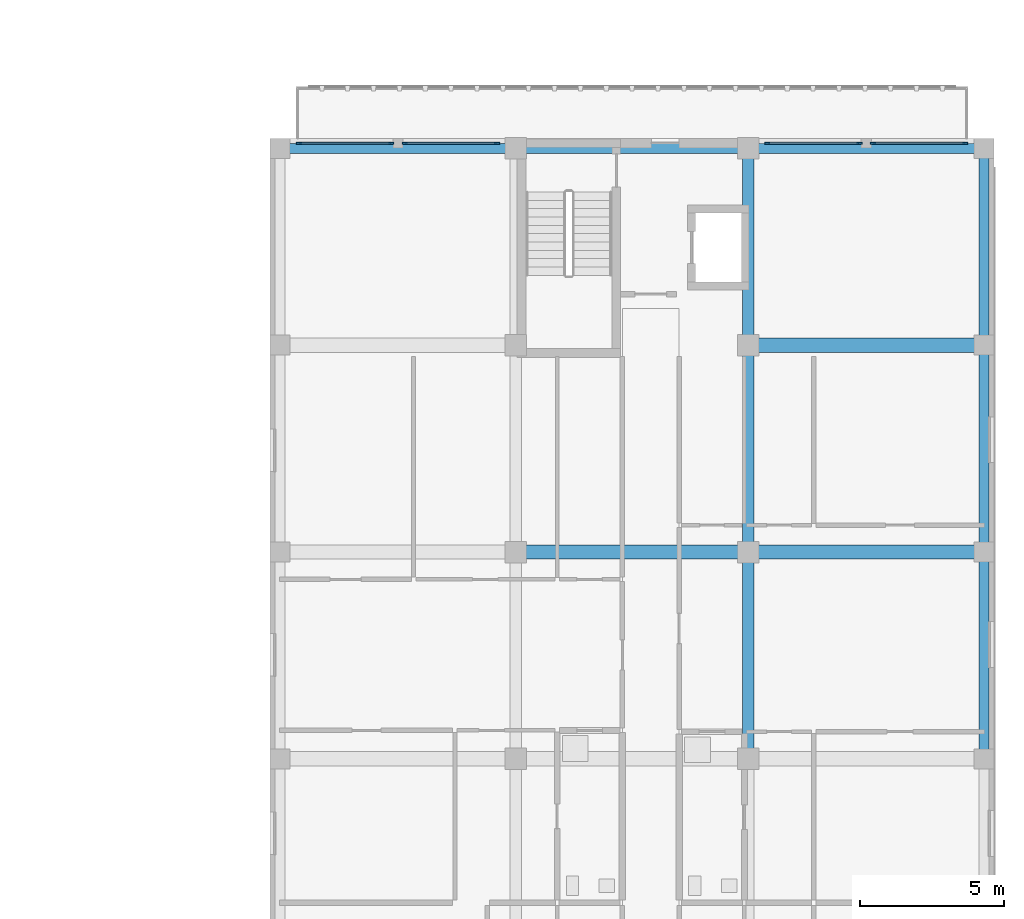
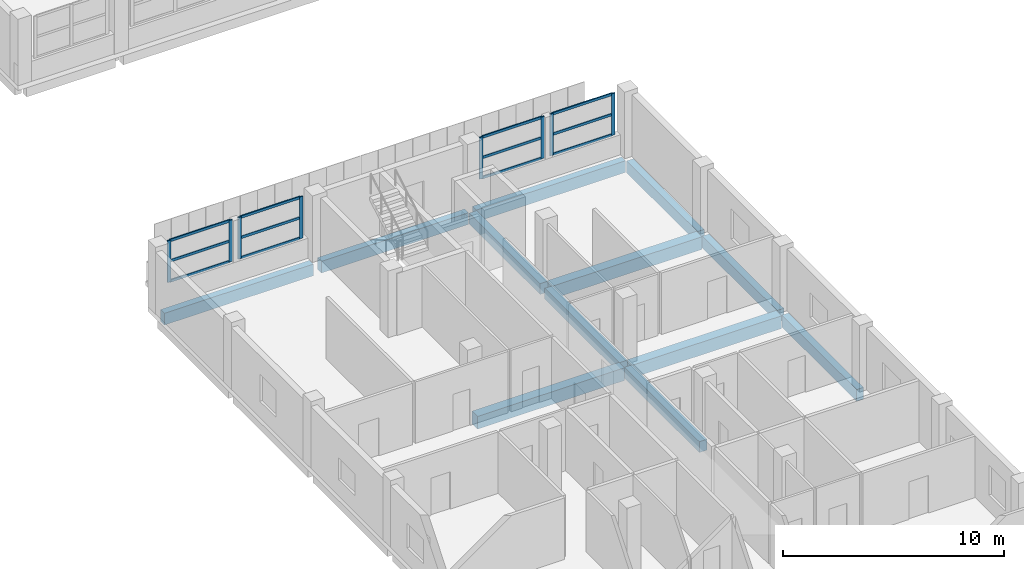
# One storey, part 23 of 73: 20 members, 12 beams, 4 elements without a shape of their own.
"""IFC4 building model written with IfcOpenShell, lengths in metres."""

from ifc_helpers import new_model, si_unit, derived_unit, direction, frame, origin, origin_2d, place, context, subcontext, project, spatial, rectangle, extrude, material, layer, layer_set, material_profile, profile_set, type_object, element, aggregate, save


model = new_model("IFC4")

# Units and contexts
model_context = context("Model", 3, precision=1e-05, world=origin(), true_north=direction((0.0, 1.0)))
body_context = subcontext(model_context, "Body", "Model", "MODEL_VIEW")
ifc_project = project(units=[si_unit("LENGTHUNIT", "METRE"), si_unit("AREAUNIT", "SQUARE_METRE"), si_unit("VOLUMEUNIT", "CUBIC_METRE"), si_unit("PLANEANGLEUNIT", "RADIAN"), si_unit("MASSUNIT", "GRAM", prefix="KILO"), derived_unit("THERMALTRANSMITTANCEUNIT", [(si_unit("MASSUNIT", "GRAM", prefix="KILO"), 1), (si_unit("TIMEUNIT", "SECOND"), -3), (si_unit("THERMODYNAMICTEMPERATUREUNIT", "KELVIN"), -1)])], contexts=[model_context])

# Site, building, storey
site_placement = place(None, origin())
site = spatial("IfcSite", under=ifc_project, at=site_placement, CompositionType="ELEMENT")
building_placement = place(site_placement, origin())
building = spatial("IfcBuilding", under=site, at=building_placement, Name="Ochrekiln Boulevard Commons", CompositionType="ELEMENT")
storey_placement = place(building_placement, frame((0.0, 0.0, 4.89990234375)))
storey = spatial("IfcBuildingStorey", under=building, at=storey_placement, Name="L01", CompositionType="ELEMENT", Elevation=4.89990234375)

# Beams
ifc_material_1 = material(Name="Concrete C35/45", Category="concrete")
ifc_material_profile_1 = material_profile(ifc_material_1, rectangle(XDim=0.39990234375, YDim=0.60009765625, at=origin_2d()), Name="RC-BM-400x600")
ifc_profile_set_1 = profile_set([ifc_material_profile_1], Name="Concrete C35/45")
beam_type_1 = type_object("IfcBeamType", Name="BM-RC-400x600", PredefinedType="BEAM", material=ifc_profile_set_1)
for number, where, z_axis, x_axis, name in (
    (1, (164.25, 29.010009765625, -0.559814453125), (0.0, 1.0, 0.0), (-1.0, 0.0, 0.0), "Block C L01 Beam B-4060 Y41"),
    (2, (164.25, 36.2099609375, -0.559814453125), (0.0, 1.0, 0.0), (-1.0, 0.0, 0.0), "Block C L01 Beam B-4060 Y42"),
):
    element("IfcBeam", number, at=place(storey_placement, frame(where, z_axis=z_axis, x_axis=x_axis)), inside=storey, type_object=beam_type_1, Name=name, PredefinedType="BEAM", context=body_context, shape_type="SweptSolid", body=[
        extrude(rectangle(XDim=0.39990234375, YDim=0.60009765625, at=origin_2d()), origin(), (0.0, 0.0, 1.0), 6.780029296875),
    ])
beam_1_placement = place(storey_placement, frame((164.25, 43.409912109375, -0.559814453125), z_axis=(0.0, 1.0, 0.0), x_axis=(-1.0, 0.0, 0.0)))
element("IfcBeam", 3, at=beam_1_placement, inside=storey, type_object=beam_type_1, Name="Block C L01 Beam B-4060 Y43", PredefinedType="BEAM", context=body_context, shape_type="SweptSolid", body=[
    extrude(rectangle(XDim=0.39990234375, YDim=0.60009765625, at=origin_2d()), origin(), (0.0, 0.0, 1.0), 6.43017578125),
])
ifc_material_2 = material(Name="Concrete C40/50", Category="concrete")
ifc_material_profile_2 = material_profile(ifc_material_2, rectangle(XDim=0.5, YDim=0.699951171875, at=origin_2d()), Name="RC-BM-500x700")
ifc_profile_set_2 = profile_set([ifc_material_profile_2], Name="Concrete C40/50")
beam_type_2 = type_object("IfcBeamType", Name="BM-RC-500x700", PredefinedType="BEAM", material=ifc_profile_set_2)
beam_2_placement = place(storey_placement, frame((156.360107421875, 36.0, -0.60986328125), z_axis=(1.0, 0.0, 0.0), x_axis=(0.0, 1.0, 0.0)))
element("IfcBeam", 4, at=beam_2_placement, inside=storey, type_object=beam_type_2, Name="Block C L01 Beam B-5070 X16", PredefinedType="BEAM", context=body_context, shape_type="SweptSolid", body=[
    extrude(rectangle(XDim=0.5, YDim=0.699951171875, at=origin_2d()), origin(), (0.0, 0.0, 1.0), 7.679931640625),
])
for number, where, z_axis, x_axis, name in (
    (5, (164.4599609375, 36.0, -0.60986328125), (1.0, 0.0, 0.0), (0.0, 1.0, 0.0), "Block C L01 Beam B-5070 X17"),
    (6, (164.4599609375, 43.199951171875, -0.60986328125), (1.0, 0.0, 0.0), (0.0, 1.0, 0.0), "Block C L01 Beam B-5070 X19"),
):
    element("IfcBeam", number, at=place(storey_placement, frame(where, z_axis=z_axis, x_axis=x_axis)), inside=storey, type_object=beam_type_2, Name=name, PredefinedType="BEAM", context=body_context, shape_type="SweptSolid", body=[
        extrude(rectangle(XDim=0.5, YDim=0.699951171875, at=origin_2d()), origin(), (0.0, 0.0, 1.0), 7.780029296875),
    ])

# Curtain wall, members
ifc_material_3 = material(Name="Bronze-anodized extruded aluminium 6063-T6", Category="aluminium")
ifc_layer = layer(ifc_material_3, 0.18408203125)
ifc_layer_set = layer_set([ifc_layer], Name="Bronze-anodized extruded aluminium 6063-T6")
curtain_wall_type = type_object("IfcCurtainWallType", Name="CW-GABLE-B", PredefinedType="USERDEFINED", material=ifc_layer_set)
curtain_wall_1_placement = place(storey_placement, origin())
curtain_wall_1 = element("IfcCurtainWall", 7, at=curtain_wall_1_placement, inside=storey, type_object=curtain_wall_type, Name="Block C L01 Courtyard Glazed Gable Curtain Wall 1", ObjectType="GLAZED CURTAIN WALL", PredefinedType="USERDEFINED")
ifc_material_profile_3 = material_profile(ifc_material_3, rectangle(XDim=0.06494140625, YDim=0.179931640625, at=origin_2d()), Name="ALU-MUL-65x180")
ifc_profile_set_3 = profile_set([ifc_material_profile_3], Name="Bronze-anodized extruded aluminium 6063-T6")
member_type_1 = type_object("IfcMemberType", Name="CWM-65x180", PredefinedType="MULLION", material=ifc_profile_set_3)
member_1_placement = place(storey_placement, frame((148.6025390625, 50.235107421875, 1.110107421875), z_axis=(0.0, 0.0, 1.0), x_axis=(0.0, 1.0, 0.0)))
member_1 = element("IfcMember", 8, at=member_1_placement, type_object=member_type_1, Name="CW-02 mullion 1", PredefinedType="MULLION", context=body_context, shape_type="SweptSolid", body=[
    extrude(rectangle(XDim=0.06494140625, YDim=0.179931640625, at=origin_2d()), origin(), (0.0, 0.0, 1.0), 2.304931640625),
])
member_2_placement = place(storey_placement, frame((151.8173828125, 50.235107421875, 1.110107421875), z_axis=(0.0, 0.0, 1.0), x_axis=(0.0, 1.0, 0.0)))
member_2 = element("IfcMember", 9, at=member_2_placement, type_object=member_type_1, Name="CW-02 mullion 2", PredefinedType="MULLION", context=body_context, shape_type="SweptSolid", body=[
    extrude(rectangle(XDim=0.06494140625, YDim=0.179931640625, at=origin_2d()), origin(), (0.0, 0.0, 1.0), 2.304931640625),
])

curtain_wall_2_placement = place(storey_placement, origin())
curtain_wall_2 = element("IfcCurtainWall", 10, at=curtain_wall_2_placement, inside=storey, type_object=curtain_wall_type, Name="Block C L01 Courtyard Glazed Gable Curtain Wall 2", ObjectType="GLAZED CURTAIN WALL", PredefinedType="USERDEFINED")
member_3_placement = place(storey_placement, frame((152.282470703125, 50.235107421875, 1.110107421875), z_axis=(0.0, 0.0, 1.0), x_axis=(0.0, 1.0, 0.0)))
member_3 = element("IfcMember", 11, at=member_3_placement, type_object=member_type_1, Name="CW-02 mullion 1", PredefinedType="MULLION", context=body_context, shape_type="SweptSolid", body=[
    extrude(rectangle(XDim=0.06494140625, YDim=0.179931640625, at=origin_2d()), origin(), (0.0, 0.0, 1.0), 2.304931640625),
])
member_4_placement = place(storey_placement, frame((155.49755859375, 50.235107421875, 1.110107421875), z_axis=(0.0, 0.0, 1.0), x_axis=(0.0, 1.0, 0.0)))
member_4 = element("IfcMember", 12, at=member_4_placement, type_object=member_type_1, Name="CW-02 mullion 2", PredefinedType="MULLION", context=body_context, shape_type="SweptSolid", body=[
    extrude(rectangle(XDim=0.06494140625, YDim=0.179931640625, at=origin_2d()), origin(), (0.0, 0.0, 1.0), 2.304931640625),
])

curtain_wall_3_placement = place(storey_placement, origin())
curtain_wall_3 = element("IfcCurtainWall", 13, at=curtain_wall_3_placement, inside=storey, type_object=curtain_wall_type, Name="Block C L01 Courtyard Glazed Gable Curtain Wall 3", ObjectType="GLAZED CURTAIN WALL", PredefinedType="USERDEFINED")
member_5_placement = place(storey_placement, frame((164.902587890625, 50.235107421875, 1.110107421875), z_axis=(0.0, 0.0, 1.0), x_axis=(0.0, 1.0, 0.0)))
member_5 = element("IfcMember", 14, at=member_5_placement, type_object=member_type_1, Name="CW-02 mullion 1", PredefinedType="MULLION", context=body_context, shape_type="SweptSolid", body=[
    extrude(rectangle(XDim=0.06494140625, YDim=0.179931640625, at=origin_2d()), origin(), (0.0, 0.0, 1.0), 2.304931640625),
])
member_6_placement = place(storey_placement, frame((168.117431640625, 50.235107421875, 1.110107421875), z_axis=(0.0, 0.0, 1.0), x_axis=(0.0, 1.0, 0.0)))
member_6 = element("IfcMember", 15, at=member_6_placement, type_object=member_type_1, Name="CW-02 mullion 2", PredefinedType="MULLION", context=body_context, shape_type="SweptSolid", body=[
    extrude(rectangle(XDim=0.06494140625, YDim=0.179931640625, at=origin_2d()), origin(), (0.0, 0.0, 1.0), 2.304931640625),
])

curtain_wall_4_placement = place(storey_placement, origin())
curtain_wall_4 = element("IfcCurtainWall", 16, at=curtain_wall_4_placement, inside=storey, type_object=curtain_wall_type, Name="Block C L01 Courtyard Glazed Gable Curtain Wall 4", ObjectType="GLAZED CURTAIN WALL", PredefinedType="USERDEFINED")
member_7_placement = place(storey_placement, frame((168.58251953125, 50.235107421875, 1.110107421875), z_axis=(0.0, 0.0, 1.0), x_axis=(0.0, 1.0, 0.0)))
member_7 = element("IfcMember", 17, at=member_7_placement, type_object=member_type_1, Name="CW-02 mullion 1", PredefinedType="MULLION", context=body_context, shape_type="SweptSolid", body=[
    extrude(rectangle(XDim=0.06494140625, YDim=0.179931640625, at=origin_2d()), origin(), (0.0, 0.0, 1.0), 2.304931640625),
])
member_8_placement = place(storey_placement, frame((171.797607421875, 50.235107421875, 1.110107421875), z_axis=(0.0, 0.0, 1.0), x_axis=(0.0, 1.0, 0.0)))
member_8 = element("IfcMember", 18, at=member_8_placement, type_object=member_type_1, Name="CW-02 mullion 2", PredefinedType="MULLION", context=body_context, shape_type="SweptSolid", body=[
    extrude(rectangle(XDim=0.06494140625, YDim=0.179931640625, at=origin_2d()), origin(), (0.0, 0.0, 1.0), 2.304931640625),
])

# Member
ifc_material_profile_4 = material_profile(ifc_material_3, rectangle(XDim=0.06494140625, YDim=0.139892578125, at=origin_2d()), Name="ALU-TRN-65x140")
ifc_profile_set_4 = profile_set([ifc_material_profile_4], Name="Bronze-anodized extruded aluminium 6063-T6")
member_type_2 = type_object("IfcMemberType", Name="CWT-65x140", PredefinedType="USERDEFINED", material=ifc_profile_set_4)
member_9_placement = place(storey_placement, frame((148.635009765625, 50.235107421875, 1.142578125), z_axis=(1.0, 0.0, 0.0), x_axis=(0.0, 1.0, 0.0)))
member_9 = element("IfcMember", 19, at=member_9_placement, type_object=member_type_2, Name="CW-02 transom 1.1", ObjectType="TRANSOM", PredefinedType="USERDEFINED", context=body_context, shape_type="SweptSolid", body=[
    extrude(rectangle(XDim=0.06494140625, YDim=0.139892578125, at=origin_2d()), origin(), (0.0, 0.0, 1.0), 3.14990234375),
])

member_10_placement = place(storey_placement, frame((148.635009765625, 50.235107421875, 2.26220703125), z_axis=(1.0, 0.0, 0.0), x_axis=(0.0, 1.0, 0.0)))
member_10 = element("IfcMember", 20, at=member_10_placement, type_object=member_type_2, Name="CW-02 transom 1.2", ObjectType="TRANSOM", PredefinedType="USERDEFINED", context=body_context, shape_type="SweptSolid", body=[
    extrude(rectangle(XDim=0.06494140625, YDim=0.139892578125, at=origin_2d()), origin(), (0.0, 0.0, 1.0), 3.14990234375),
])

member_11_placement = place(storey_placement, frame((148.635009765625, 50.235107421875, 3.382568359375), z_axis=(1.0, 0.0, 0.0), x_axis=(0.0, 1.0, 0.0)))
member_11 = element("IfcMember", 21, at=member_11_placement, type_object=member_type_2, Name="CW-02 transom 1.3", ObjectType="TRANSOM", PredefinedType="USERDEFINED", context=body_context, shape_type="SweptSolid", body=[
    extrude(rectangle(XDim=0.06494140625, YDim=0.139892578125, at=origin_2d()), origin(), (0.0, 0.0, 1.0), 3.14990234375),
])

aggregate(curtain_wall_1, [member_1, member_2, member_9, member_10, member_11])

member_12_placement = place(storey_placement, frame((152.31494140625, 50.235107421875, 1.142578125), z_axis=(1.0, 0.0, 0.0), x_axis=(0.0, 1.0, 0.0)))
member_12 = element("IfcMember", 22, at=member_12_placement, type_object=member_type_2, Name="CW-02 transom 1.1", ObjectType="TRANSOM", PredefinedType="USERDEFINED", context=body_context, shape_type="SweptSolid", body=[
    extrude(rectangle(XDim=0.06494140625, YDim=0.139892578125, at=origin_2d()), origin(), (0.0, 0.0, 1.0), 3.150146484375),
])

member_13_placement = place(storey_placement, frame((152.31494140625, 50.235107421875, 2.26220703125), z_axis=(1.0, 0.0, 0.0), x_axis=(0.0, 1.0, 0.0)))
member_13 = element("IfcMember", 23, at=member_13_placement, type_object=member_type_2, Name="CW-02 transom 1.2", ObjectType="TRANSOM", PredefinedType="USERDEFINED", context=body_context, shape_type="SweptSolid", body=[
    extrude(rectangle(XDim=0.06494140625, YDim=0.139892578125, at=origin_2d()), origin(), (0.0, 0.0, 1.0), 3.150146484375),
])

member_14_placement = place(storey_placement, frame((152.31494140625, 50.235107421875, 3.382568359375), z_axis=(1.0, 0.0, 0.0), x_axis=(0.0, 1.0, 0.0)))
member_14 = element("IfcMember", 24, at=member_14_placement, type_object=member_type_2, Name="CW-02 transom 1.3", ObjectType="TRANSOM", PredefinedType="USERDEFINED", context=body_context, shape_type="SweptSolid", body=[
    extrude(rectangle(XDim=0.06494140625, YDim=0.139892578125, at=origin_2d()), origin(), (0.0, 0.0, 1.0), 3.150146484375),
])

aggregate(curtain_wall_2, [member_3, member_4, member_12, member_13, member_14])

member_15_placement = place(storey_placement, frame((164.93505859375, 50.235107421875, 1.142578125), z_axis=(1.0, 0.0, 0.0), x_axis=(0.0, 1.0, 0.0)))
member_15 = element("IfcMember", 25, at=member_15_placement, type_object=member_type_2, Name="CW-02 transom 1.1", ObjectType="TRANSOM", PredefinedType="USERDEFINED", context=body_context, shape_type="SweptSolid", body=[
    extrude(rectangle(XDim=0.06494140625, YDim=0.139892578125, at=origin_2d()), origin(), (0.0, 0.0, 1.0), 3.14990234375),
])

member_16_placement = place(storey_placement, frame((164.93505859375, 50.235107421875, 2.26220703125), z_axis=(1.0, 0.0, 0.0), x_axis=(0.0, 1.0, 0.0)))
member_16 = element("IfcMember", 26, at=member_16_placement, type_object=member_type_2, Name="CW-02 transom 1.2", ObjectType="TRANSOM", PredefinedType="USERDEFINED", context=body_context, shape_type="SweptSolid", body=[
    extrude(rectangle(XDim=0.06494140625, YDim=0.139892578125, at=origin_2d()), origin(), (0.0, 0.0, 1.0), 3.14990234375),
])

member_17_placement = place(storey_placement, frame((164.93505859375, 50.235107421875, 3.382568359375), z_axis=(1.0, 0.0, 0.0), x_axis=(0.0, 1.0, 0.0)))
member_17 = element("IfcMember", 27, at=member_17_placement, type_object=member_type_2, Name="CW-02 transom 1.3", ObjectType="TRANSOM", PredefinedType="USERDEFINED", context=body_context, shape_type="SweptSolid", body=[
    extrude(rectangle(XDim=0.06494140625, YDim=0.139892578125, at=origin_2d()), origin(), (0.0, 0.0, 1.0), 3.14990234375),
])

aggregate(curtain_wall_3, [member_5, member_6, member_15, member_16, member_17])

member_18_placement = place(storey_placement, frame((168.614990234375, 50.235107421875, 1.142578125), z_axis=(1.0, 0.0, 0.0), x_axis=(0.0, 1.0, 0.0)))
member_18 = element("IfcMember", 28, at=member_18_placement, type_object=member_type_2, Name="CW-02 transom 1.1", ObjectType="TRANSOM", PredefinedType="USERDEFINED", context=body_context, shape_type="SweptSolid", body=[
    extrude(rectangle(XDim=0.06494140625, YDim=0.139892578125, at=origin_2d()), origin(), (0.0, 0.0, 1.0), 3.14990234375),
])

member_19_placement = place(storey_placement, frame((168.614990234375, 50.235107421875, 2.26220703125), z_axis=(1.0, 0.0, 0.0), x_axis=(0.0, 1.0, 0.0)))
member_19 = element("IfcMember", 29, at=member_19_placement, type_object=member_type_2, Name="CW-02 transom 1.2", ObjectType="TRANSOM", PredefinedType="USERDEFINED", context=body_context, shape_type="SweptSolid", body=[
    extrude(rectangle(XDim=0.06494140625, YDim=0.139892578125, at=origin_2d()), origin(), (0.0, 0.0, 1.0), 3.14990234375),
])

member_20_placement = place(storey_placement, frame((168.614990234375, 50.235107421875, 3.382568359375), z_axis=(1.0, 0.0, 0.0), x_axis=(0.0, 1.0, 0.0)))
member_20 = element("IfcMember", 30, at=member_20_placement, type_object=member_type_2, Name="CW-02 transom 1.3", ObjectType="TRANSOM", PredefinedType="USERDEFINED", context=body_context, shape_type="SweptSolid", body=[
    extrude(rectangle(XDim=0.06494140625, YDim=0.139892578125, at=origin_2d()), origin(), (0.0, 0.0, 1.0), 3.14990234375),
])

aggregate(curtain_wall_4, [member_7, member_8, member_18, member_19, member_20])

# Beams
ifc_material_profile_5 = material_profile(ifc_material_2, rectangle(XDim=0.35009765625, YDim=0.64990234375, at=origin_2d()), Name="RC-SPN-350x650")
ifc_profile_set_5 = profile_set([ifc_material_profile_5], Name="Concrete C40/50")
beam_type_3 = type_object("IfcBeamType", Name="SPN-RC-350x650", PredefinedType="SPANDREL", material=ifc_profile_set_5)
beam_3_placement = place(storey_placement, frame((148.159912109375, 50.050048828125, -0.5849609375), z_axis=(1.0, 0.0, 0.0), x_axis=(0.0, 1.0, 0.0)))
element("IfcBeam", 31, at=beam_3_placement, inside=storey, type_object=beam_type_3, Name="Block C L01 Beam SP-3565 X20", PredefinedType="SPANDREL", context=body_context, shape_type="SweptSolid", body=[
    extrude(rectangle(XDim=0.35009765625, YDim=0.64990234375, at=origin_2d()), origin(), (0.0, 0.0, 1.0), 7.780029296875),
])
beam_4_placement = place(storey_placement, frame((156.360107421875, 50.050048828125, -0.5849609375), z_axis=(1.0, 0.0, 0.0), x_axis=(0.0, 1.0, 0.0)))
element("IfcBeam", 32, at=beam_4_placement, inside=storey, type_object=beam_type_3, Name="Block C L01 Beam SP-3565 X21", PredefinedType="SPANDREL", context=body_context, shape_type="SweptSolid", body=[
    extrude(rectangle(XDim=0.35009765625, YDim=0.64990234375, at=origin_2d()), origin(), (0.0, 0.0, 1.0), 7.679931640625),
])
beam_5_placement = place(storey_placement, frame((164.4599609375, 50.050048828125, -0.5849609375), z_axis=(1.0, 0.0, 0.0), x_axis=(0.0, 1.0, 0.0)))
element("IfcBeam", 33, at=beam_5_placement, inside=storey, type_object=beam_type_3, Name="Block C L01 Beam SP-3565 X22", PredefinedType="SPANDREL", context=body_context, shape_type="SweptSolid", body=[
    extrude(rectangle(XDim=0.35009765625, YDim=0.64990234375, at=origin_2d()), origin(), (0.0, 0.0, 1.0), 7.780029296875),
])
for number, where, z_axis, x_axis, name in (
    (34, (172.449951171875, 29.010009765625, -0.5849609375), (0.0, 1.0, 0.0), (-1.0, 0.0, 0.0), "Block C L01 Beam SP-3565 Y48"),
    (35, (172.449951171875, 36.2099609375, -0.5849609375), (0.0, 1.0, 0.0), (-1.0, 0.0, 0.0), "Block C L01 Beam SP-3565 Y49"),
):
    element("IfcBeam", number, at=place(storey_placement, frame(where, z_axis=z_axis, x_axis=x_axis)), inside=storey, type_object=beam_type_3, Name=name, PredefinedType="SPANDREL", context=body_context, shape_type="SweptSolid", body=[
        extrude(rectangle(XDim=0.35009765625, YDim=0.64990234375, at=origin_2d()), origin(), (0.0, 0.0, 1.0), 6.780029296875),
    ])
beam_6_placement = place(storey_placement, frame((172.449951171875, 43.409912109375, -0.5849609375), z_axis=(0.0, 1.0, 0.0), x_axis=(-1.0, 0.0, 0.0)))
element("IfcBeam", 36, at=beam_6_placement, inside=storey, type_object=beam_type_3, Name="Block C L01 Beam SP-3565 Y50", PredefinedType="SPANDREL", context=body_context, shape_type="SweptSolid", body=[
    extrude(rectangle(XDim=0.35009765625, YDim=0.64990234375, at=origin_2d()), origin(), (0.0, 0.0, 1.0), 6.43017578125),
])

save(model, "model.ifc")
